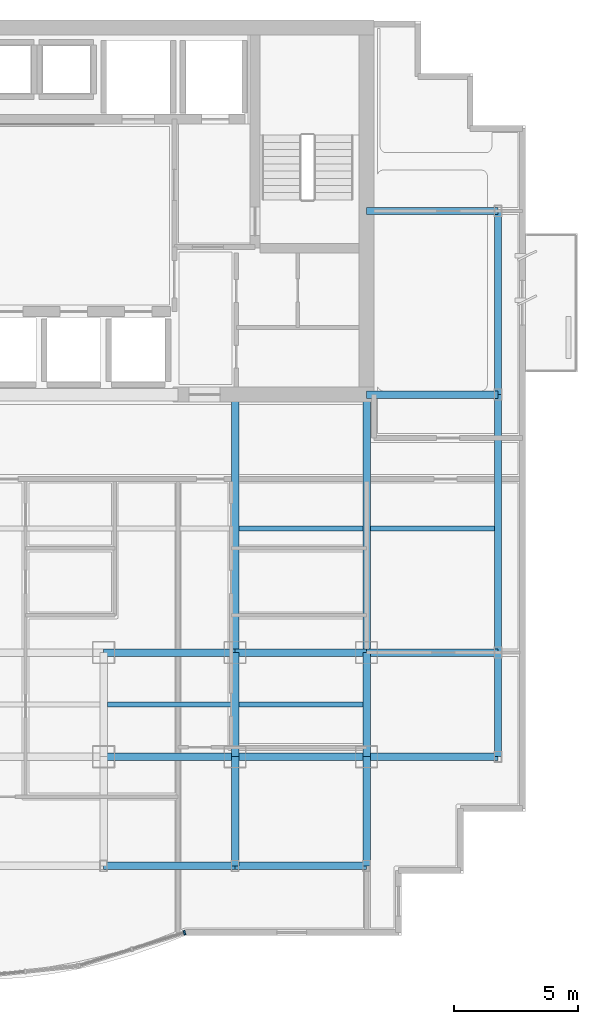
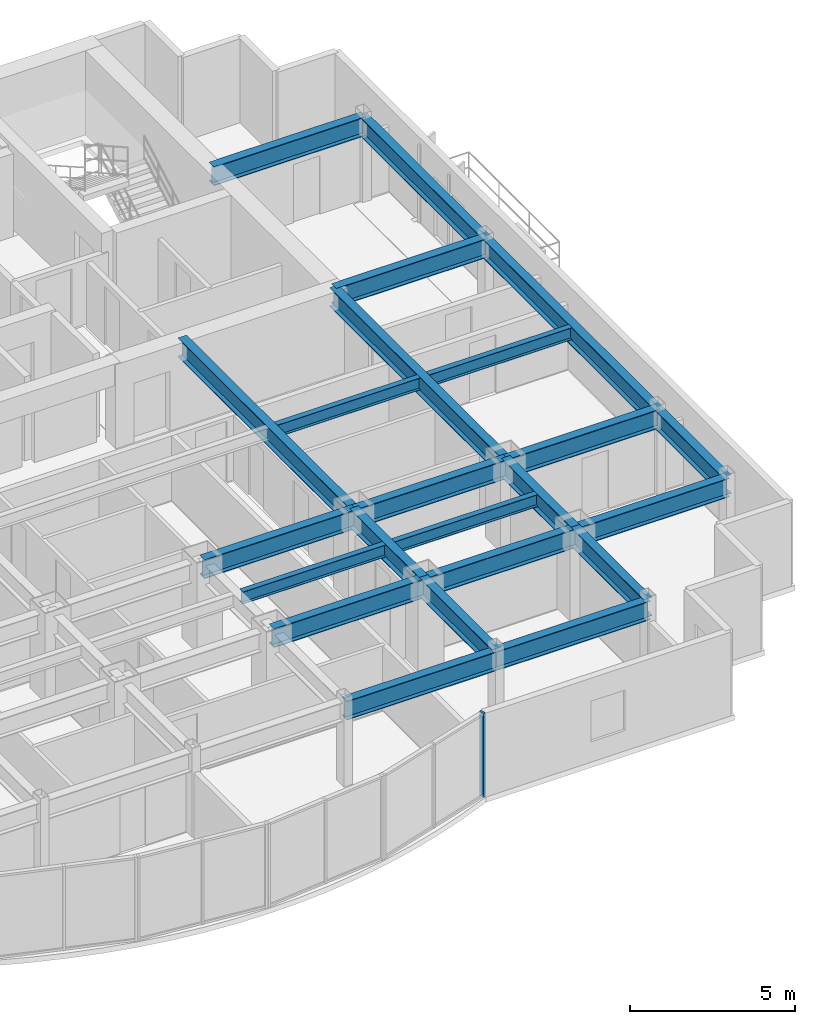
# One storey, part 4 of 11: 23 beams, 1 member, 1 element without a shape of its own.
"""IFC4 building model written with IfcOpenShell, lengths in metres."""

from ifc_helpers import new_model, si_unit, direction, frame, origin, origin_2d, place, context, subcontext, project, spatial, rectangle, i_section, extrude, source, transform, mapped, material, layer, layer_set, material_profile, profile_set, type_object, element, aggregate, save


model = new_model("IFC4")

# Units and contexts
model_context = context("Model", 3, precision=1e-05, world=origin(), true_north=direction((0.0, 1.0)))
body_context = subcontext(model_context, "Body", "Model", "MODEL_VIEW")
ifc_project = project(units=[si_unit("LENGTHUNIT", "METRE"), si_unit("AREAUNIT", "SQUARE_METRE"), si_unit("VOLUMEUNIT", "CUBIC_METRE"), si_unit("PLANEANGLEUNIT", "RADIAN"), si_unit("MASSUNIT", "GRAM", prefix="KILO")], contexts=[model_context])

# Site, building, storey
site_placement = place(None, origin())
site = spatial("IfcSite", under=ifc_project, at=site_placement, CompositionType="ELEMENT")
building_placement = place(site_placement, origin())
building = spatial("IfcBuilding", under=site, at=building_placement, Name="Qianlan Lanfeng Residences", CompositionType="ELEMENT")
storey_placement = place(building_placement, frame((0.0, 0.0, 152.39990234375)))
storey = spatial("IfcBuildingStorey", under=building, at=storey_placement, Name="L41", CompositionType="ELEMENT", Elevation=152.39990234375)

# Beams
ifc_material_1 = material(Name="Steel SN490B", Category="steel")
ifc_material_profile_1 = material_profile(ifc_material_1, i_section(OverallWidth=0.300048828125, OverallDepth=0.699951171875, WebThickness=0.012939453125, FlangeThickness=0.02392578125, at=origin_2d()), Name="H 700x300x13x24")
ifc_profile_set_1 = profile_set([ifc_material_profile_1], Name="Steel SN490B")
beam_type_1 = type_object("IfcBeamType", Name="G-750", PredefinedType="BEAM", material=ifc_profile_set_1)
beam_1_placement = place(storey_placement, frame((31.800048828125, 10.60009765625, 2.75), z_axis=(1.0, 0.0, 0.0), x_axis=(0.0, 1.0, 0.0)))
element("IfcBeam", 1, at=beam_1_placement, inside=storey, type_object=beam_type_1, Name="Structural beam G-750", PredefinedType="BEAM", context=body_context, shape_type="SweptSolid", body=[
    extrude(i_section(OverallWidth=0.300048828125, OverallDepth=0.699951171875, WebThickness=0.012939453125, FlangeThickness=0.02392578125, at=origin_2d()), origin(), (0.0, 0.0, 1.0), 5.300048828125),
])
beam_2_placement = place(storey_placement, frame((37.10009765625, 10.60009765625, 2.75), z_axis=(1.0, 0.0, 0.0), x_axis=(0.0, 1.0, 0.0)))
element("IfcBeam", 2, at=beam_2_placement, inside=storey, type_object=beam_type_1, Name="Structural beam G-750", PredefinedType="BEAM", context=body_context, shape_type="SweptSolid", body=[
    extrude(i_section(OverallWidth=0.300048828125, OverallDepth=0.699951171875, WebThickness=0.012939453125, FlangeThickness=0.02392578125, at=origin_2d()), origin(), (0.0, 0.0, 1.0), 5.2998046875),
])
for number, where, z_axis, x_axis, name in (
    (3, (42.39990234375, 10.60009765625, 2.75), (1.0, 0.0, 0.0), (0.0, 1.0, 0.0), "Structural beam G-750"),
    (4, (31.800048828125, 14.800048828125, 2.75), (1.0, 0.0, 0.0), (0.0, 1.0, 0.0), "Structural beam G-750"),
):
    element("IfcBeam", number, at=place(storey_placement, frame(where, z_axis=z_axis, x_axis=x_axis)), inside=storey, type_object=beam_type_1, Name=name, PredefinedType="BEAM", context=body_context, shape_type="SweptSolid", body=[
        extrude(i_section(OverallWidth=0.300048828125, OverallDepth=0.699951171875, WebThickness=0.012939453125, FlangeThickness=0.02392578125, at=origin_2d()), origin(), (0.0, 0.0, 1.0), 5.300048828125),
    ])
beam_3_placement = place(storey_placement, frame((37.10009765625, 14.800048828125, 2.75), z_axis=(1.0, 0.0, 0.0), x_axis=(0.0, 1.0, 0.0)))
element("IfcBeam", 5, at=beam_3_placement, inside=storey, type_object=beam_type_1, Name="Structural beam G-750", PredefinedType="BEAM", context=body_context, shape_type="SweptSolid", body=[
    extrude(i_section(OverallWidth=0.300048828125, OverallDepth=0.699951171875, WebThickness=0.012939453125, FlangeThickness=0.02392578125, at=origin_2d()), origin(), (0.0, 0.0, 1.0), 5.2998046875),
])
for number, where, z_axis, x_axis, name in (
    (6, (42.39990234375, 14.800048828125, 2.75), (1.0, 0.0, 0.0), (0.0, 1.0, 0.0), "Structural beam G-750"),
    (7, (42.39990234375, 25.199951171875, 2.75), (1.0, 0.0, 0.0), (0.0, 1.0, 0.0), "Structural beam G-750"),
    (8, (42.39990234375, 32.60009765625, 2.75), (1.0, 0.0, 0.0), (0.0, 1.0, 0.0), "Structural beam G-750"),
):
    element("IfcBeam", number, at=place(storey_placement, frame(where, z_axis=z_axis, x_axis=x_axis)), inside=storey, type_object=beam_type_1, Name=name, PredefinedType="BEAM", context=body_context, shape_type="SweptSolid", body=[
        extrude(i_section(OverallWidth=0.300048828125, OverallDepth=0.699951171875, WebThickness=0.012939453125, FlangeThickness=0.02392578125, at=origin_2d()), origin(), (0.0, 0.0, 1.0), 5.300048828125),
    ])
beam_4_placement = place(storey_placement, frame((37.10009765625, 6.199951171875, 2.75), z_axis=(0.0, 1.0, 0.0), x_axis=(-1.0, 0.0, 0.0)))
element("IfcBeam", 9, at=beam_4_placement, inside=storey, type_object=beam_type_1, Name="Structural beam G-750", PredefinedType="BEAM", context=body_context, shape_type="SweptSolid", body=[
    extrude(i_section(OverallWidth=0.300048828125, OverallDepth=0.699951171875, WebThickness=0.012939453125, FlangeThickness=0.02392578125, at=origin_2d()), origin(), (0.0, 0.0, 1.0), 4.400146484375),
])
beam_5_placement = place(storey_placement, frame((37.10009765625, 10.60009765625, 2.75), z_axis=(0.0, 1.0, 0.0), x_axis=(-1.0, 0.0, 0.0)))
element("IfcBeam", 10, at=beam_5_placement, inside=storey, type_object=beam_type_1, Name="Structural beam G-750", PredefinedType="BEAM", context=body_context, shape_type="SweptSolid", body=[
    extrude(i_section(OverallWidth=0.300048828125, OverallDepth=0.699951171875, WebThickness=0.012939453125, FlangeThickness=0.02392578125, at=origin_2d()), origin(), (0.0, 0.0, 1.0), 4.199951171875),
])
beam_6_placement = place(storey_placement, frame((37.10009765625, 14.800048828125, 2.75), z_axis=(0.0, 1.0, 0.0), x_axis=(-1.0, 0.0, 0.0)))
element("IfcBeam", 11, at=beam_6_placement, inside=storey, type_object=beam_type_1, Name="Structural beam G-750", PredefinedType="BEAM", context=body_context, shape_type="SweptSolid", body=[
    extrude(i_section(OverallWidth=0.300048828125, OverallDepth=0.699951171875, WebThickness=0.012939453125, FlangeThickness=0.02392578125, at=origin_2d()), origin(), (0.0, 0.0, 1.0), 10.39990234375),
])
beam_7_placement = place(storey_placement, frame((42.39990234375, 6.199951171875, 2.75), z_axis=(0.0, 1.0, 0.0), x_axis=(-1.0, 0.0, 0.0)))
element("IfcBeam", 12, at=beam_7_placement, inside=storey, type_object=beam_type_1, Name="Structural beam G-750", PredefinedType="BEAM", context=body_context, shape_type="SweptSolid", body=[
    extrude(i_section(OverallWidth=0.300048828125, OverallDepth=0.699951171875, WebThickness=0.012939453125, FlangeThickness=0.02392578125, at=origin_2d()), origin(), (0.0, 0.0, 1.0), 4.400146484375),
])
beam_8_placement = place(storey_placement, frame((42.39990234375, 10.60009765625, 2.75), z_axis=(0.0, 1.0, 0.0), x_axis=(-1.0, 0.0, 0.0)))
element("IfcBeam", 13, at=beam_8_placement, inside=storey, type_object=beam_type_1, Name="Structural beam G-750", PredefinedType="BEAM", context=body_context, shape_type="SweptSolid", body=[
    extrude(i_section(OverallWidth=0.300048828125, OverallDepth=0.699951171875, WebThickness=0.012939453125, FlangeThickness=0.02392578125, at=origin_2d()), origin(), (0.0, 0.0, 1.0), 4.199951171875),
])
beam_9_placement = place(storey_placement, frame((42.39990234375, 14.800048828125, 2.75), z_axis=(0.0, 1.0, 0.0), x_axis=(-1.0, 0.0, 0.0)))
element("IfcBeam", 14, at=beam_9_placement, inside=storey, type_object=beam_type_1, Name="Structural beam G-750", PredefinedType="BEAM", context=body_context, shape_type="SweptSolid", body=[
    extrude(i_section(OverallWidth=0.300048828125, OverallDepth=0.699951171875, WebThickness=0.012939453125, FlangeThickness=0.02392578125, at=origin_2d()), origin(), (0.0, 0.0, 1.0), 10.39990234375),
])
ifc_material_profile_2 = material_profile(ifc_material_1, i_section(OverallWidth=0.199951171875, OverallDepth=0.449951171875, WebThickness=0.009033203125, FlangeThickness=0.013916015625, at=origin_2d()), Name="H 450x200x9x14")
ifc_profile_set_2 = profile_set([ifc_material_profile_2], Name="Steel SN490B")
beam_type_2 = type_object("IfcBeamType", Name="J-450", PredefinedType="JOIST", material=ifc_profile_set_2)
for number, where, z_axis, x_axis, name in (
    (15, (31.949951171875, 12.699951171875, 2.875), (1.0, 0.0, 0.0), (0.0, 1.0, 0.0), "Structural beam J-450"),
    (16, (37.25, 12.699951171875, 2.875), (1.0, 0.0, 0.0), (0.0, 1.0, 0.0), "Structural beam J-450"),
    (17, (37.25, 19.800048828125, 2.875), (1.0, 0.0, 0.0), (0.0, 1.0, 0.0), "Structural beam J-450"),
    (18, (42.550048828125, 19.800048828125, 2.875), (1.0, 0.0, 0.0), (0.0, 1.0, 0.0), "Structural beam J-450"),
):
    element("IfcBeam", number, at=place(storey_placement, frame(where, z_axis=z_axis, x_axis=x_axis)), inside=storey, type_object=beam_type_2, Name=name, PredefinedType="JOIST", context=body_context, shape_type="SweptSolid", body=[
        extrude(i_section(OverallWidth=0.199951171875, OverallDepth=0.449951171875, WebThickness=0.009033203125, FlangeThickness=0.013916015625, at=origin_2d()), origin(), (0.0, 0.0, 1.0), 5.0),
    ])
ifc_material_profile_3 = material_profile(ifc_material_1, i_section(OverallWidth=0.300048828125, OverallDepth=0.699951171875, WebThickness=0.012939453125, FlangeThickness=0.02392578125, at=origin_2d()), Name="H 700x300x13x24")
ifc_profile_set_3 = profile_set([ifc_material_profile_3], Name="Steel SN490B")
beam_type_3 = type_object("IfcBeamType", Name="SG-750", PredefinedType="SPANDREL", material=ifc_profile_set_3)
beam_10_placement = place(storey_placement, frame((31.800048828125, 6.199951171875, 2.739990234375), z_axis=(1.0, 0.0, 0.0), x_axis=(0.0, 1.0, 0.0)))
element("IfcBeam", 19, at=beam_10_placement, inside=storey, type_object=beam_type_3, Name="Structural beam SG-750", PredefinedType="SPANDREL", context=body_context, shape_type="SweptSolid", body=[
    extrude(i_section(OverallWidth=0.300048828125, OverallDepth=0.699951171875, WebThickness=0.012939453125, FlangeThickness=0.02392578125, at=origin_2d()), origin(), (0.0, 0.0, 1.0), 5.300048828125),
])
beam_11_placement = place(storey_placement, frame((37.10009765625, 6.199951171875, 2.739990234375), z_axis=(1.0, 0.0, 0.0), x_axis=(0.0, 1.0, 0.0)))
element("IfcBeam", 20, at=beam_11_placement, inside=storey, type_object=beam_type_3, Name="Structural beam SG-750", PredefinedType="SPANDREL", context=body_context, shape_type="SweptSolid", body=[
    extrude(i_section(OverallWidth=0.300048828125, OverallDepth=0.699951171875, WebThickness=0.012939453125, FlangeThickness=0.02392578125, at=origin_2d()), origin(), (0.0, 0.0, 1.0), 5.2998046875),
])
beam_12_placement = place(storey_placement, frame((47.699951171875, 10.60009765625, 2.739990234375), z_axis=(0.0, 1.0, 0.0), x_axis=(-1.0, 0.0, 0.0)))
element("IfcBeam", 21, at=beam_12_placement, inside=storey, type_object=beam_type_3, Name="Structural beam SG-750", PredefinedType="SPANDREL", context=body_context, shape_type="SweptSolid", body=[
    extrude(i_section(OverallWidth=0.300048828125, OverallDepth=0.699951171875, WebThickness=0.012939453125, FlangeThickness=0.02392578125, at=origin_2d()), origin(), (0.0, 0.0, 1.0), 4.199951171875),
])
beam_13_placement = place(storey_placement, frame((47.699951171875, 14.800048828125, 2.739990234375), z_axis=(0.0, 1.0, 0.0), x_axis=(-1.0, 0.0, 0.0)))
element("IfcBeam", 22, at=beam_13_placement, inside=storey, type_object=beam_type_3, Name="Structural beam SG-750", PredefinedType="SPANDREL", context=body_context, shape_type="SweptSolid", body=[
    extrude(i_section(OverallWidth=0.300048828125, OverallDepth=0.699951171875, WebThickness=0.012939453125, FlangeThickness=0.02392578125, at=origin_2d()), origin(), (0.0, 0.0, 1.0), 10.39990234375),
])
beam_14_placement = place(storey_placement, frame((47.699951171875, 25.199951171875, 2.739990234375), z_axis=(0.0, 1.0, 0.0), x_axis=(-1.0, 0.0, 0.0)))
element("IfcBeam", 23, at=beam_14_placement, inside=storey, type_object=beam_type_3, Name="Structural beam SG-750", PredefinedType="SPANDREL", context=body_context, shape_type="SweptSolid", body=[
    extrude(i_section(OverallWidth=0.300048828125, OverallDepth=0.699951171875, WebThickness=0.012939453125, FlangeThickness=0.02392578125, at=origin_2d()), origin(), (0.0, 0.0, 1.0), 7.400146484375),
])

# Curtain wall, member
ifc_material_2 = material(Name="Anodised Bronze Aluminium 6063-T6", Category="aluminium")
ifc_layer = layer(ifc_material_2, 0.219970703125)
ifc_layer_set = layer_set([ifc_layer], Name="Anodised Bronze Aluminium 6063-T6")
curtain_wall_type = type_object("IfcCurtainWallType", Name="CW-04", PredefinedType="NOTDEFINED", material=ifc_layer_set)
curtain_wall_placement = place(storey_placement, origin())
curtain_wall = element("IfcCurtainWall", 24, at=curtain_wall_placement, inside=storey, type_object=curtain_wall_type, Name="L41 Unitised Curtain Wall CWR-L41-05 (CW-04)", PredefinedType="NOTDEFINED")
ifc_material_profile_4 = material_profile(ifc_material_2, rectangle(XDim=0.074951171875, YDim=0.179931640625, at=origin_2d()), Name="ALU MULLION 75x180")
ifc_profile_set_4 = profile_set([ifc_material_profile_4], Name="Anodised Bronze Aluminium 6063-T6")
member_type = type_object("IfcMemberType", Name="CWM-180", PredefinedType="MULLION", material=ifc_profile_set_4)
shared_shape = source(origin(), body_context, "Body", "SweptSolid", [
    extrude(rectangle(XDim=0.074951171875, YDim=0.179931640625, at=origin_2d()), origin(), (0.0, 0.0, 1.0), 3.10009765625),
])
member_placement = place(storey_placement, frame((35.061279296875, 3.5087890625, 0.0), z_axis=(0.0, 0.0, 1.0), x_axis=(0.954195954421, 0.299182353367, 0.0)))
member = element("IfcMember", 25, at=member_placement, type_object=member_type, Name="CWR-L41-05 Mullion 3", PredefinedType="MULLION", context=body_context, shape_type="MappedRepresentation", body=[
    mapped(shared_shape, transform((0.0, 0.0, 0.0), scale=1.0)),
])
aggregate(curtain_wall, [member])

save(model, "model.ifc")
